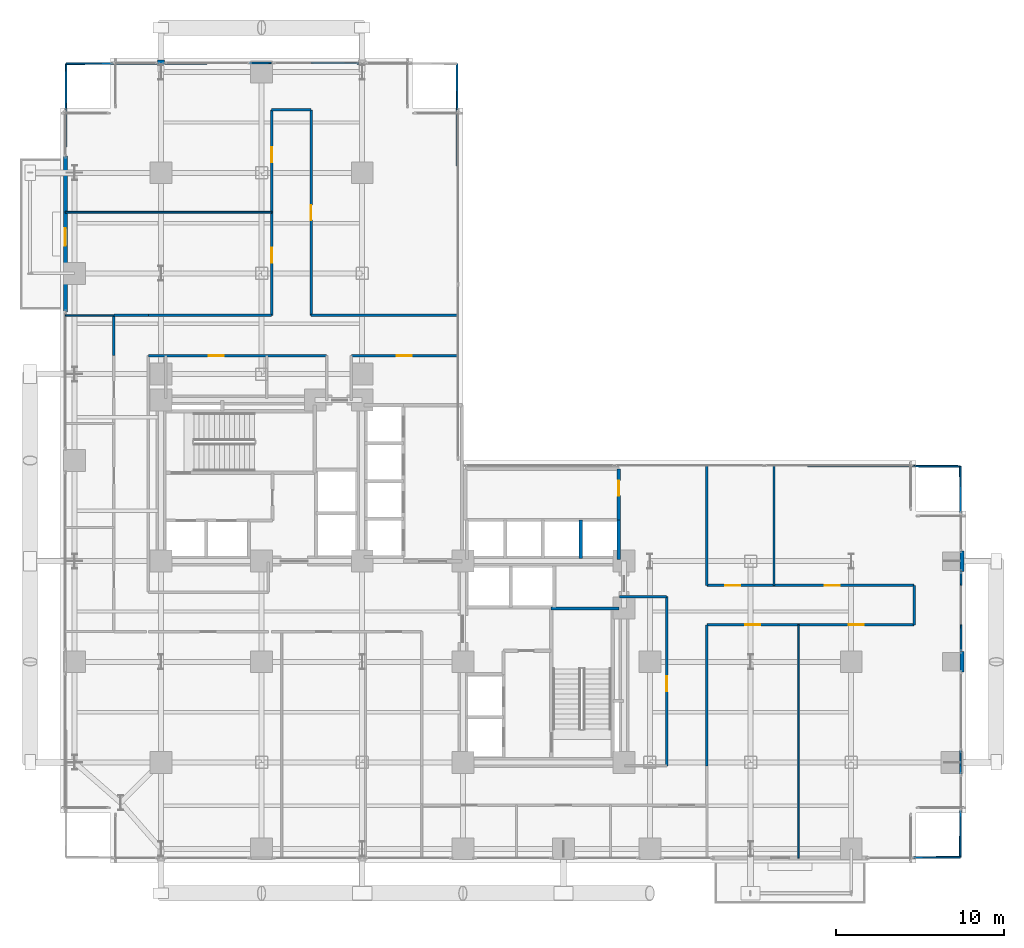
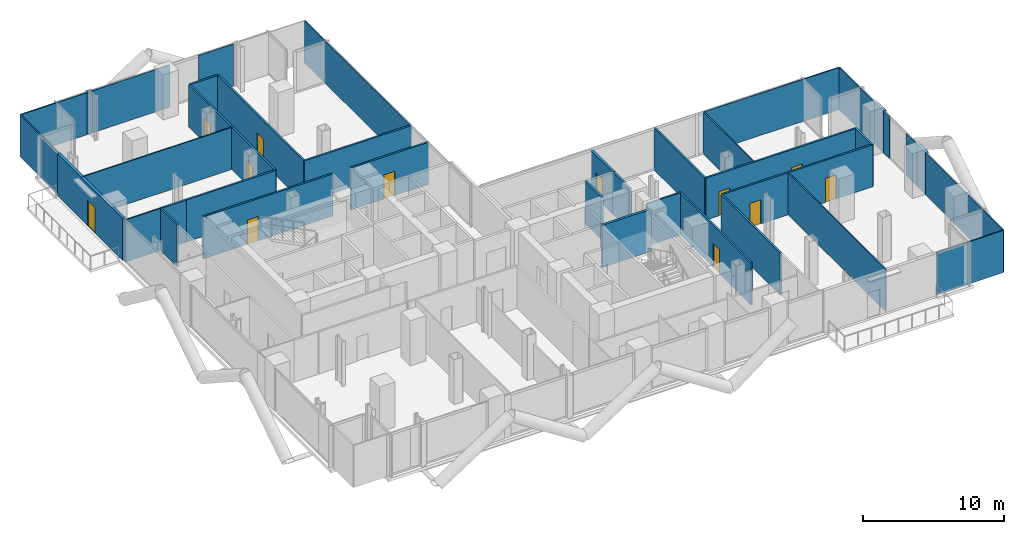
# One storey, part 23 of 27: 39 walls, 12 doors, 12 openings.
"""IFC4 building model written with IfcOpenShell, lengths in metres."""

from ifc_helpers import new_model, si_unit, direction, frame, frame_2d, origin, place, context, subcontext, project, spatial, rectangle, extrude, material, layer, layer_set, type_object, element, fill, save


model = new_model("IFC4")

# Units and contexts
model_context = context("Model", 3, precision=1e-05, world=origin(), true_north=direction((0.0, 1.0)))
body_context = subcontext(model_context, "Body", "Model", "MODEL_VIEW")
ifc_project = project(units=[si_unit("LENGTHUNIT", "METRE"), si_unit("AREAUNIT", "SQUARE_METRE"), si_unit("VOLUMEUNIT", "CUBIC_METRE"), si_unit("PLANEANGLEUNIT", "RADIAN"), si_unit("MASSUNIT", "GRAM", prefix="KILO"), si_unit("THERMODYNAMICTEMPERATUREUNIT", "KELVIN"), si_unit("POWERUNIT", "WATT")], contexts=[model_context])

# Site, building, storey
site_placement = place(None, origin())
site = spatial("IfcSite", under=ifc_project, at=site_placement, CompositionType="ELEMENT")
building_placement = place(site_placement, origin())
building = spatial("IfcBuilding", under=site, at=building_placement, Name="Svarakhadi Broadcast Tower", CompositionType="ELEMENT")
storey_placement = place(building_placement, frame((0.0, 0.0, 40.199951171875)))
storey = spatial("IfcBuildingStorey", under=building, at=storey_placement, Name="L08", CompositionType="ELEMENT", Elevation=40.199951171875)

# Wall, opening, door
ifc_material_1 = material(Name="Concrete C40/50 (IS 456 M50)", Category="concrete")
ifc_layer_1 = layer(ifc_material_1, 0.239990234375)
ifc_layer_set_1 = layer_set([ifc_layer_1], Name="Concrete C40/50 (IS 456 M50)")
wall_type_1 = type_object("IfcWallType", Name="Wall_Ext_240", PredefinedType="SOLIDWALL", material=ifc_layer_set_1)
wall_1_placement = place(storey_placement, frame((0.300048828125, 32.85498046875, 0.0), z_axis=(0.0, 0.0, 1.0), x_axis=(0.0, 1.0, 0.0)))
wall_1 = element("IfcWall", 1, at=wall_1_placement, inside=storey, type_object=wall_type_1, Name="L08 West Tree Balcony Spandrel Wall", PredefinedType="SOLIDWALL", context=body_context, shape_type="SweptSolid", body=[
    extrude(rectangle(XDim=9.2900390625, YDim=0.239990234375, at=frame_2d((4.64501953125, 0.0))), origin(), (0.0, 0.0, 1.0), 3.650146484375),
])
opening_1_placement = place(wall_1_placement, frame((3.945068359375, 0.0, 0.0)))
opening_1 = element("IfcOpeningElement", 2, at=opening_1_placement, cuts=wall_1, Name="Opening ED-05", PredefinedType="OPENING", context=body_context, shape_type="SweptSolid", body=[
    extrude(rectangle(XDim=1.050048828125, YDim=2.199951171875, at=frame_2d((0.52490234375, 1.10009765625))), frame((0.0, 0.1298828125, 0.0), z_axis=(0.0, -1.0, 0.0), x_axis=(1.0, 0.0, 0.0)), (0.0, 0.0, 1.0), 0.260009765625),
])
ifc_material_2 = material(Name="Anodised Bronze Aluminium AA 6063-T6", Category="aluminium")
door_type_1 = type_object("IfcDoorType", Name="Door_Ext_ED05", OperationType="SINGLE_SWING_LEFT", PredefinedType="DOOR", material=ifc_material_2)
door_1_placement = place(opening_1_placement, origin())
door_1 = element("IfcDoor", 3, at=door_1_placement, inside=storey, type_object=door_type_1, Name="L08 West Tree Balcony Door", OperationType="SINGLE_SWING_LEFT", OverallHeight=2.199951171875, OverallWidth=1.050048828125, PredefinedType="DOOR", context=body_context, shape_type="SweptSolid", body=[
    extrude(rectangle(XDim=1.050048828125, YDim=2.199951171875, at=frame_2d((0.52490234375, 1.10009765625))), frame((0.0, 0.02490234375, 0.0), z_axis=(0.0, -1.0, 0.0), x_axis=(1.0, 0.0, 0.0)), (0.0, 0.0, 1.0), 0.050048828125),
])
fill(opening_1, door_1)

# Walls
wall_2_placement = place(storey_placement, frame((5.784912109375, 47.760009765625, 0.0), z_axis=(0.0, 0.0, 1.0), x_axis=(1.0, 0.0, 0.0)))
element("IfcWall", 4, at=wall_2_placement, inside=storey, type_object=wall_type_1, Name="L08 Perimeter Bronze Spandrel Closure Wall 01", PredefinedType="SOLIDWALL", context=body_context, shape_type="SweptSolid", body=[
    extrude(rectangle(XDim=0.43017578125, YDim=0.239990234375, at=frame_2d((0.215087890625, 0.0))), origin(), (0.0, 0.0, 1.0), 3.650146484375),
])
for number, where, z_axis, x_axis, name in (
    (5, (53.760009765625, 18.614990234375, 0.0), (0.0, 0.0, 1.0), (0.0, -1.0, 0.0), "L08 Perimeter Bronze Spandrel Closure Wall 03"),
    (6, (53.760009765625, 12.614990234375, 0.0), (0.0, 0.0, 1.0), (0.0, -1.0, 0.0), "L08 Perimeter Bronze Spandrel Closure Wall 04"),
):
    element("IfcWall", number, at=place(storey_placement, frame(where, z_axis=z_axis, x_axis=x_axis)), inside=storey, type_object=wall_type_1, Name=name, PredefinedType="SOLIDWALL", context=body_context, shape_type="SweptSolid", body=[
        extrude(rectangle(XDim=1.22998046875, YDim=0.239990234375, at=frame_2d((0.614990234375, 0.0))), origin(), (0.0, 0.0, 1.0), 3.650146484375),
    ])
ifc_material_3 = material(Name="Fire-Rated Moisture-Resistant Gypsum Board Partition", Category="gypsum")
ifc_layer_2 = layer(ifc_material_3, 0.10009765625)
ifc_layer_set_2 = layer_set([ifc_layer_2], Name="Fire-Rated Moisture-Resistant Gypsum Board Partition")
wall_type_2 = type_object("IfcWallType", Name="Wall_Part_100", PredefinedType="PARTITIONING", material=ifc_layer_set_2)
wall_3_placement = place(storey_placement, frame((44.0, 0.300048828125, 0.0), z_axis=(0.0, 0.0, 1.0), x_axis=(0.0, 1.0, 0.0)))
element("IfcWall", 7, at=wall_3_placement, inside=storey, type_object=wall_type_2, Name="L08 Waterfront International News Desk Wall", PredefinedType="PARTITIONING", context=body_context, shape_type="SweptSolid", body=[
    extrude(rectangle(XDim=13.89990234375, YDim=0.10009765625, at=frame_2d((6.949951171875, 0.0))), origin(), (0.0, 0.0, 1.0), 3.650146484375),
])
wall_4_placement = place(storey_placement, frame((48.14501953125, 0.321533203125, 0.0), z_axis=(0.0, 0.0, 1.0), x_axis=(0.999986537773, 0.005188860428, 0.0)))
element("IfcWall", 8, at=wall_4_placement, inside=storey, type_object=wall_type_2, Name="L08 Wire Service Server Room Wall", PredefinedType="PARTITIONING", context=body_context, shape_type="SweptSolid", body=[
    extrude(rectangle(XDim=5.5048828125, YDim=0.10009765625, at=frame_2d((2.75244140625, 0.0))), origin(), (0.0, 0.0, 1.0), 3.650146484375),
])
wall_5_placement = place(storey_placement, frame((53.64990234375, 0.35009765625, 0.0), z_axis=(0.0, 0.0, 1.0), x_axis=(0.003606251025, 0.999993497456, 0.0)))
element("IfcWall", 9, at=wall_5_placement, inside=storey, type_object=wall_type_2, Name="L08 Wire Service Server Room Wall", PredefinedType="PARTITIONING", context=body_context, shape_type="SweptSolid", body=[
    extrude(rectangle(XDim=11.034912109375, YDim=0.10009765625, at=frame_2d((5.517578125, 0.0))), origin(), (0.0, 0.0, 1.0), 3.650146484375),
])
wall_6_placement = place(storey_placement, frame((53.6943359375, 12.614990234375, 0.0), z_axis=(0.0, 0.0, 1.0), x_axis=(0.003542799701, 0.999993724265, 0.0)))
element("IfcWall", 10, at=wall_6_placement, inside=storey, type_object=wall_type_2, Name="L08 Wire Service Server Room Wall", PredefinedType="PARTITIONING", context=body_context, shape_type="SweptSolid", body=[
    extrude(rectangle(XDim=1.5849609375, YDim=0.10009765625, at=frame_2d((0.79248046875, 0.0))), origin(), (0.0, 0.0, 1.0), 3.650146484375),
])
wall_7_placement = place(storey_placement, frame((42.550048828125, 16.550048828125, 0.0), z_axis=(0.0, 0.0, 1.0), x_axis=(0.0, 1.0, 0.0)))
element("IfcWall", 11, at=wall_7_placement, inside=storey, type_object=wall_type_2, Name="L08 Broadcast Acoustic Booth Wall", PredefinedType="PARTITIONING", context=body_context, shape_type="SweptSolid", body=[
    extrude(rectangle(XDim=7.14990234375, YDim=0.10009765625, at=frame_2d((3.574951171875, 0.0))), origin(), (0.0, 0.0, 1.0), 3.650146484375),
])
wall_8_placement = place(storey_placement, frame((42.550048828125, 23.699951171875, 0.0), z_axis=(0.0, 0.0, 1.0), x_axis=(0.999989834782, -0.004508917104, 0.0)))
element("IfcWall", 12, at=wall_8_placement, inside=storey, type_object=wall_type_2, Name="L08 Broadcast Equipment Operations Room Wall", PredefinedType="PARTITIONING", context=body_context, shape_type="SweptSolid", body=[
    extrude(rectangle(XDim=11.099853515625, YDim=0.10009765625, at=frame_2d((5.5498046875, 0.0))), origin(), (0.0, 0.0, 1.0), 3.650146484375),
])
wall_9_placement = place(storey_placement, frame((53.699951171875, 16.550048828125, 0.0), z_axis=(0.0, 0.0, 1.0), x_axis=(-0.007017371073, 0.999975377948, 0.0)))
element("IfcWall", 13, at=wall_9_placement, inside=storey, type_object=wall_type_2, Name="L08 Broadcast Equipment Operations Room Wall", PredefinedType="PARTITIONING", context=body_context, shape_type="SweptSolid", body=[
    extrude(rectangle(XDim=0.8349609375, YDim=0.10009765625, at=frame_2d((0.41748046875, 0.0))), origin(), (0.0, 0.0, 1.0), 3.650146484375),
])
wall_10_placement = place(storey_placement, frame((53.685546875, 18.614990234375, 0.0), z_axis=(0.0, 0.0, 1.0), x_axis=(-0.007079296972, 0.999974941463, 0.0)))
element("IfcWall", 14, at=wall_10_placement, inside=storey, type_object=wall_type_2, Name="L08 Broadcast Equipment Operations Room Wall", PredefinedType="PARTITIONING", context=body_context, shape_type="SweptSolid", body=[
    extrude(rectangle(XDim=5.03515625, YDim=0.10009765625, at=frame_2d((2.517578125, 0.0))), origin(), (0.0, 0.0, 1.0), 3.650146484375),
])
wall_11_placement = place(storey_placement, frame((0.300048828125, 38.800048828125, 0.0), z_axis=(0.0, 0.0, 1.0), x_axis=(1.0, 0.0, 0.0)))
element("IfcWall", 15, at=wall_11_placement, inside=storey, type_object=wall_type_2, Name="L08 Investigative Journalism Office Wall", PredefinedType="PARTITIONING", context=body_context, shape_type="SweptSolid", body=[
    extrude(rectangle(XDim=12.300048828125, YDim=0.10009765625, at=frame_2d((6.14990234375, 0.0))), origin(), (0.0, 0.0, 1.0), 3.650146484375),
])
wall_12_placement = place(storey_placement, frame((0.35009765625, 47.64990234375, 0.0), z_axis=(0.0, 0.0, 1.0), x_axis=(0.999991644778, 0.004087832518, 0.0)))
element("IfcWall", 16, at=wall_12_placement, inside=storey, type_object=wall_type_2, Name="L08 Investigative Research Office Wall", PredefinedType="PARTITIONING", context=body_context, shape_type="SweptSolid", body=[
    extrude(rectangle(XDim=5.434814453125, YDim=0.10009765625, at=frame_2d((2.71728515625, 0.0))), origin(), (0.0, 0.0, 1.0), 3.650146484375),
])
wall_13_placement = place(storey_placement, frame((6.215087890625, 47.673828125, 0.0), z_axis=(0.0, 0.0, 1.0), x_axis=(0.999991630701, 0.004091274595, 0.0)))
element("IfcWall", 17, at=wall_13_placement, inside=storey, type_object=wall_type_2, Name="L08 Investigative Research Office Wall", PredefinedType="PARTITIONING", context=body_context, shape_type="SweptSolid", body=[
    extrude(rectangle(XDim=6.385009765625, YDim=0.10009765625, at=frame_2d((3.1923828125, 0.0))), origin(), (0.0, 0.0, 1.0), 3.650146484375),
])
wall_14_placement = place(storey_placement, frame((0.31884765625, 42.14501953125, 0.0), z_axis=(0.0, 0.0, 1.0), x_axis=(0.005676686961, 0.999983887483, 0.0)))
element("IfcWall", 18, at=wall_14_placement, inside=storey, type_object=wall_type_2, Name="L08 Investigative Research Office Wall", PredefinedType="PARTITIONING", context=body_context, shape_type="SweptSolid", body=[
    extrude(rectangle(XDim=5.5048828125, YDim=0.10009765625, at=frame_2d((2.75244140625, 0.0))), origin(), (0.0, 0.0, 1.0), 3.650146484375),
])
wall_15_placement = place(storey_placement, frame((14.949951171875, 47.699951171875, 0.0), z_axis=(0.0, 0.0, 1.0), x_axis=(0.999983354582, -0.005769797172, 0.0)))
element("IfcWall", 19, at=wall_15_placement, inside=storey, type_object=wall_type_2, Name="L08 Broadcast Assignment Hub Wall", PredefinedType="PARTITIONING", context=body_context, shape_type="SweptSolid", body=[
    extrude(rectangle(XDim=2.8349609375, YDim=0.10009765625, at=frame_2d((1.41748046875, 0.0))), origin(), (0.0, 0.0, 1.0), 3.650146484375),
])
wall_16_placement = place(storey_placement, frame((23.699951171875, 32.64990234375, 0.0), z_axis=(0.0, 0.0, 1.0), x_axis=(-0.003336569969, 0.999994433635, 0.0)))
element("IfcWall", 20, at=wall_16_placement, inside=storey, type_object=wall_type_2, Name="L08 Broadcast Assignment Hub Wall", PredefinedType="PARTITIONING", context=body_context, shape_type="SweptSolid", body=[
    extrude(rectangle(XDim=15.0, YDim=0.10009765625, at=frame_2d((7.5, 0.0))), origin(), (0.0, 0.0, 1.0), 3.650146484375),
])
wall_17_placement = place(storey_placement, frame((0.300048828125, 32.64990234375, 0.0), z_axis=(0.0, 0.0, 1.0), x_axis=(1.0, 0.0, 0.0)))
element("IfcWall", 21, at=wall_17_placement, inside=storey, type_object=wall_type_2, Name="L08 Producer Quiet Lounge Wall", PredefinedType="PARTITIONING", context=body_context, shape_type="SweptSolid", body=[
    extrude(rectangle(XDim=2.89990234375, YDim=0.10009765625, at=frame_2d((1.449951171875, 0.0))), origin(), (0.0, 0.0, 1.0), 3.650146484375),
])

# Wall, opening, door
ifc_material_4 = material(Name="Autoclaved Aerated Concrete Blockwork 150 mm", Category="masonry")
ifc_layer_3 = layer(ifc_material_4, 0.14990234375)
ifc_layer_set_3 = layer_set([ifc_layer_3], Name="Autoclaved Aerated Concrete Blockwork 150 mm")
wall_type_3 = type_object("IfcWallType", Name="Wall_Part_150", PredefinedType="PARTITIONING", material=ifc_layer_set_3)
wall_18_placement = place(storey_placement, frame((36.14990234375, 5.800048828125, 0.0), z_axis=(0.0, 0.0, 1.0), x_axis=(0.0, 1.0, 0.0)))
wall_18 = element("IfcWall", 22, at=wall_18_placement, inside=storey, type_object=wall_type_3, Name="L08 Broadcast Corridor Wall", PredefinedType="PARTITIONING", context=body_context, shape_type="SweptSolid", body=[
    extrude(rectangle(XDim=10.079833984375, YDim=0.14990234375, at=frame_2d((5.0400390625, 0.0))), origin(), (0.0, 0.0, 1.0), 3.650146484375),
])
opening_2_placement = place(wall_18_placement, frame((4.429931640625, 0.0, 0.0)))
opening_2 = element("IfcOpeningElement", 23, at=opening_2_placement, cuts=wall_18, Name="Opening D-14", PredefinedType="OPENING", context=body_context, shape_type="SweptSolid", body=[
    extrude(rectangle(XDim=0.89990234375, YDim=2.10009765625, at=frame_2d((0.449951171875, 1.050048828125))), frame((0.0, 0.0849609375, 0.0), z_axis=(0.0, -1.0, 0.0), x_axis=(1.0, 0.0, 0.0)), (0.0, 0.0, 1.0), 0.169921875),
])
ifc_material_5 = material(Name="Solid-Core Teak Veneer Acoustic Timber Leaf", Category="wood")
door_type_2 = type_object("IfcDoorType", Name="Door_Int_D14", OperationType="SINGLE_SWING_LEFT", PredefinedType="DOOR", material=ifc_material_5)
door_2_placement = place(opening_2_placement, origin())
door_2 = element("IfcDoor", 24, at=door_2_placement, inside=storey, type_object=door_type_2, Name="L08 Live Feed Monitoring Studio Door", OperationType="SINGLE_SWING_LEFT", OverallHeight=2.10009765625, OverallWidth=0.89990234375, PredefinedType="DOOR", context=body_context, shape_type="SweptSolid", body=[
    extrude(rectangle(XDim=0.89990234375, YDim=2.10009765625, at=frame_2d((0.449951171875, 1.050048828125))), frame((0.0, 0.02490234375, 0.0), z_axis=(0.0, -1.0, 0.0), x_axis=(1.0, 0.0, 0.0)), (0.0, 0.0, 1.0), 0.050048828125),
])
fill(opening_2, door_2)

# Walls
wall_19_placement = place(storey_placement, frame((36.14990234375, 15.8798828125, 0.0), z_axis=(0.0, 0.0, 1.0), x_axis=(-1.0, 0.0, 0.0)))
element("IfcWall", 25, at=wall_19_placement, inside=storey, type_object=wall_type_3, Name="L08 Broadcast Corridor Wall", PredefinedType="PARTITIONING", context=body_context, shape_type="SweptSolid", body=[
    extrude(rectangle(XDim=2.809814453125, YDim=0.14990234375, at=frame_2d((1.40478515625, 0.0))), origin(), (0.0, 0.0, 1.0), 3.650146484375),
])
wall_20_placement = place(storey_placement, frame((38.550048828125, 23.699951171875, 0.0), z_axis=(0.0, 0.0, 1.0), x_axis=(0.0, -1.0, 0.0)))
element("IfcWall", 26, at=wall_20_placement, inside=storey, type_object=wall_type_3, Name="L08 Broadcast Corridor Wall", PredefinedType="PARTITIONING", context=body_context, shape_type="SweptSolid", body=[
    extrude(rectangle(XDim=7.14990234375, YDim=0.14990234375, at=frame_2d((3.574951171875, 0.0))), origin(), (0.0, 0.0, 1.0), 3.650146484375),
])

# Wall, openings, doors
wall_21_placement = place(storey_placement, frame((38.550048828125, 16.550048828125, 0.0), z_axis=(0.0, 0.0, 1.0), x_axis=(1.0, 0.0, 0.0)))
wall_21 = element("IfcWall", 27, at=wall_21_placement, inside=storey, type_object=wall_type_3, Name="L08 Broadcast Corridor Wall", PredefinedType="PARTITIONING", context=body_context, shape_type="SweptSolid", body=[
    extrude(rectangle(XDim=12.349853515625, YDim=0.14990234375, at=frame_2d((6.1748046875, 0.0))), origin(), (0.0, 0.0, 1.0), 3.650146484375),
])
opening_3_placement = place(wall_21_placement, frame((1.080078125, 0.0, 0.0)))
opening_3 = element("IfcOpeningElement", 28, at=opening_3_placement, cuts=wall_21, Name="Opening D-15", PredefinedType="OPENING", context=body_context, shape_type="SweptSolid", body=[
    extrude(rectangle(XDim=0.89990234375, YDim=2.10009765625, at=frame_2d((0.449951171875, 1.050048828125))), frame((0.0, 0.0849609375, 0.0), z_axis=(0.0, -1.0, 0.0), x_axis=(1.0, 0.0, 0.0)), (0.0, 0.0, 1.0), 0.169921875),
])
opening_4_placement = place(wall_21_placement, frame((7.030029296875, 0.0, 0.0)))
opening_4 = element("IfcOpeningElement", 29, at=opening_4_placement, cuts=wall_21, Name="Opening D-14", PredefinedType="OPENING", context=body_context, shape_type="SweptSolid", body=[
    extrude(rectangle(XDim=0.89990234375, YDim=2.10009765625, at=frame_2d((0.449951171875, 1.050048828125))), frame((0.0, 0.0849609375, 0.0), z_axis=(0.0, -1.0, 0.0), x_axis=(1.0, 0.0, 0.0)), (0.0, 0.0, 1.0), 0.169921875),
])
door_3_placement = place(opening_4_placement, origin())
door_3 = element("IfcDoor", 30, at=door_3_placement, inside=storey, type_object=door_type_2, Name="L08 Broadcast Equipment Operations Room Door", OperationType="SINGLE_SWING_LEFT", OverallHeight=2.10009765625, OverallWidth=0.89990234375, PredefinedType="DOOR", context=body_context, shape_type="SweptSolid", body=[
    extrude(rectangle(XDim=0.89990234375, YDim=2.10009765625, at=frame_2d((0.449951171875, 1.050048828125))), frame((0.0, 0.02490234375, 0.0), z_axis=(0.0, -1.0, 0.0), x_axis=(1.0, 0.0, 0.0)), (0.0, 0.0, 1.0), 0.050048828125),
])
fill(opening_4, door_3)
door_type_3 = type_object("IfcDoorType", Name="Door_Int_D15", OperationType="SINGLE_SWING_RIGHT", PredefinedType="DOOR", material=ifc_material_5)
door_4_placement = place(opening_3_placement, origin())
door_4 = element("IfcDoor", 31, at=door_4_placement, inside=storey, type_object=door_type_3, Name="L08 Broadcast Acoustic Booth Door", OperationType="SINGLE_SWING_RIGHT", OverallHeight=2.10009765625, OverallWidth=0.89990234375, PredefinedType="DOOR", context=body_context, shape_type="SweptSolid", body=[
    extrude(rectangle(XDim=0.89990234375, YDim=2.10009765625, at=frame_2d((0.449951171875, 1.050048828125))), frame((0.0, 0.02490234375, 0.0), z_axis=(0.0, -1.0, 0.0), x_axis=(1.0, 0.0, 0.0)), (0.0, 0.0, 1.0), 0.050048828125),
])
fill(opening_3, door_4)

# Wall
wall_22_placement = place(storey_placement, frame((50.89990234375, 16.550048828125, 0.0), z_axis=(0.0, 0.0, 1.0), x_axis=(0.0, -1.0, 0.0)))
element("IfcWall", 32, at=wall_22_placement, inside=storey, type_object=wall_type_3, Name="L08 Broadcast Corridor Wall", PredefinedType="PARTITIONING", context=body_context, shape_type="SweptSolid", body=[
    extrude(rectangle(XDim=2.35009765625, YDim=0.14990234375, at=frame_2d((1.175048828125, 0.0))), origin(), (0.0, 0.0, 1.0), 3.650146484375),
])

# Wall, openings, doors
wall_23_placement = place(storey_placement, frame((50.89990234375, 14.199951171875, 0.0), z_axis=(0.0, 0.0, 1.0), x_axis=(-1.0, 0.0, 0.0)))
wall_23 = element("IfcWall", 33, at=wall_23_placement, inside=storey, type_object=wall_type_3, Name="L08 Broadcast Corridor Wall", PredefinedType="PARTITIONING", context=body_context, shape_type="SweptSolid", body=[
    extrude(rectangle(XDim=12.349853515625, YDim=0.14990234375, at=frame_2d((6.1748046875, 0.0))), origin(), (0.0, 0.0, 1.0), 3.650146484375),
])
opening_5_placement = place(wall_23_placement, frame((9.175048828125, 0.0, 0.0)))
opening_5 = element("IfcOpeningElement", 34, at=opening_5_placement, cuts=wall_23, Name="Opening D-15", PredefinedType="OPENING", context=body_context, shape_type="SweptSolid", body=[
    extrude(rectangle(XDim=0.89990234375, YDim=2.10009765625, at=frame_2d((0.449951171875, 1.050048828125))), frame((0.0, 0.0849609375, 0.0), z_axis=(0.0, -1.0, 0.0), x_axis=(1.0, 0.0, 0.0)), (0.0, 0.0, 1.0), 0.169921875),
])
opening_6_placement = place(wall_23_placement, frame((3.0, 0.0, 0.0)))
opening_6 = element("IfcOpeningElement", 35, at=opening_6_placement, cuts=wall_23, Name="Opening D-14", PredefinedType="OPENING", context=body_context, shape_type="SweptSolid", body=[
    extrude(rectangle(XDim=0.89990234375, YDim=2.10009765625, at=frame_2d((0.449951171875, 1.050048828125))), frame((0.0, 0.0849609375, 0.0), z_axis=(0.0, -1.0, 0.0), x_axis=(1.0, 0.0, 0.0)), (0.0, 0.0, 1.0), 0.169921875),
])
door_5_placement = place(opening_6_placement, origin())
door_5 = element("IfcDoor", 36, at=door_5_placement, inside=storey, type_object=door_type_2, Name="L08 Wire Service Server Room Door", OperationType="SINGLE_SWING_LEFT", OverallHeight=2.10009765625, OverallWidth=0.89990234375, PredefinedType="DOOR", context=body_context, shape_type="SweptSolid", body=[
    extrude(rectangle(XDim=0.89990234375, YDim=2.10009765625, at=frame_2d((0.449951171875, 1.050048828125))), frame((0.0, 0.02490234375, 0.0), z_axis=(0.0, -1.0, 0.0), x_axis=(1.0, 0.0, 0.0)), (0.0, 0.0, 1.0), 0.050048828125),
])
fill(opening_6, door_5)
door_6_placement = place(opening_5_placement, origin())
door_6 = element("IfcDoor", 37, at=door_6_placement, inside=storey, type_object=door_type_3, Name="L08 Waterfront International News Desk Door", OperationType="SINGLE_SWING_RIGHT", OverallHeight=2.10009765625, OverallWidth=0.89990234375, PredefinedType="DOOR", context=body_context, shape_type="SweptSolid", body=[
    extrude(rectangle(XDim=0.89990234375, YDim=2.10009765625, at=frame_2d((0.449951171875, 1.050048828125))), frame((0.0, 0.02490234375, 0.0), z_axis=(0.0, -1.0, 0.0), x_axis=(1.0, 0.0, 0.0)), (0.0, 0.0, 1.0), 0.050048828125),
])
fill(opening_5, door_6)

# Walls
wall_24_placement = place(storey_placement, frame((38.550048828125, 14.199951171875, 0.0), z_axis=(0.0, 0.0, 1.0), x_axis=(0.0, -1.0, 0.0)))
element("IfcWall", 38, at=wall_24_placement, inside=storey, type_object=wall_type_3, Name="L08 Broadcast Corridor Wall", PredefinedType="PARTITIONING", context=body_context, shape_type="SweptSolid", body=[
    extrude(rectangle(XDim=8.39990234375, YDim=0.14990234375, at=frame_2d((4.199951171875, 0.0))), origin(), (0.0, 0.0, 1.0), 3.650146484375),
])
wall_25_placement = place(storey_placement, frame((3.199951171875, 30.25, 0.0), z_axis=(0.0, 0.0, 1.0), x_axis=(0.0, 1.0, 0.0)))
element("IfcWall", 39, at=wall_25_placement, inside=storey, type_object=wall_type_3, Name="L08 Broadcast Corridor Wall", PredefinedType="PARTITIONING", context=body_context, shape_type="SweptSolid", body=[
    extrude(rectangle(XDim=2.39990234375, YDim=0.14990234375, at=frame_2d((1.199951171875, 0.0))), origin(), (0.0, 0.0, 1.0), 3.650146484375),
])
wall_26_placement = place(storey_placement, frame((3.199951171875, 32.64990234375, 0.0), z_axis=(0.0, 0.0, 1.0), x_axis=(1.0, 0.0, 0.0)))
element("IfcWall", 40, at=wall_26_placement, inside=storey, type_object=wall_type_3, Name="L08 Broadcast Corridor Wall", PredefinedType="PARTITIONING", context=body_context, shape_type="SweptSolid", body=[
    extrude(rectangle(XDim=2.050048828125, YDim=0.14990234375, at=frame_2d((1.02490234375, 0.0))), origin(), (0.0, 0.0, 1.0), 3.650146484375),
])
wall_27_placement = place(storey_placement, frame((5.25, 32.64990234375, 0.0), z_axis=(0.0, 0.0, 1.0), x_axis=(1.0, 0.0, 0.0)))
element("IfcWall", 41, at=wall_27_placement, inside=storey, type_object=wall_type_3, Name="L08 Broadcast Corridor Wall", PredefinedType="PARTITIONING", context=body_context, shape_type="SweptSolid", body=[
    extrude(rectangle(XDim=7.35009765625, YDim=0.14990234375, at=frame_2d((3.675048828125, 0.0))), origin(), (0.0, 0.0, 1.0), 3.650146484375),
])

# Wall, openings, doors
wall_28_placement = place(storey_placement, frame((12.60009765625, 32.64990234375, 0.0), z_axis=(0.0, 0.0, 1.0), x_axis=(0.0, 1.0, 0.0)))
wall_28 = element("IfcWall", 42, at=wall_28_placement, inside=storey, type_object=wall_type_3, Name="L08 Broadcast Corridor Wall", PredefinedType="PARTITIONING", context=body_context, shape_type="SweptSolid", body=[
    extrude(rectangle(XDim=12.25, YDim=0.14990234375, at=frame_2d((6.125, 0.0))), origin(), (0.0, 0.0, 1.0), 3.650146484375),
])
opening_7_placement = place(wall_28_placement, frame((3.1298828125, 0.0, 0.0)))
opening_7 = element("IfcOpeningElement", 43, at=opening_7_placement, cuts=wall_28, Name="Opening D-15", PredefinedType="OPENING", context=body_context, shape_type="SweptSolid", body=[
    extrude(rectangle(XDim=0.89990234375, YDim=2.10009765625, at=frame_2d((0.449951171875, 1.050048828125))), frame((0.0, 0.0849609375, 0.0), z_axis=(0.0, -1.0, 0.0), x_axis=(1.0, 0.0, 0.0)), (0.0, 0.0, 1.0), 0.169921875),
])
opening_8_placement = place(wall_28_placement, frame((9.1298828125, 0.0, 0.0)))
opening_8 = element("IfcOpeningElement", 44, at=opening_8_placement, cuts=wall_28, Name="Opening D-15", PredefinedType="OPENING", context=body_context, shape_type="SweptSolid", body=[
    extrude(rectangle(XDim=0.89990234375, YDim=2.10009765625, at=frame_2d((0.449951171875, 1.050048828125))), frame((0.0, 0.0849609375, 0.0), z_axis=(0.0, -1.0, 0.0), x_axis=(1.0, 0.0, 0.0)), (0.0, 0.0, 1.0), 0.169921875),
])
door_7_placement = place(opening_7_placement, origin())
door_7 = element("IfcDoor", 45, at=door_7_placement, inside=storey, type_object=door_type_3, Name="L08 Investigative Journalism Office Door", OperationType="SINGLE_SWING_RIGHT", OverallHeight=2.10009765625, OverallWidth=0.89990234375, PredefinedType="DOOR", context=body_context, shape_type="SweptSolid", body=[
    extrude(rectangle(XDim=0.89990234375, YDim=2.10009765625, at=frame_2d((0.449951171875, 1.050048828125))), frame((0.0, 0.02490234375, 0.0), z_axis=(0.0, -1.0, 0.0), x_axis=(1.0, 0.0, 0.0)), (0.0, 0.0, 1.0), 0.050048828125),
])
fill(opening_7, door_7)
door_8_placement = place(opening_8_placement, origin())
door_8 = element("IfcDoor", 46, at=door_8_placement, inside=storey, type_object=door_type_3, Name="L08 Investigative Research Office Door", OperationType="SINGLE_SWING_RIGHT", OverallHeight=2.10009765625, OverallWidth=0.89990234375, PredefinedType="DOOR", context=body_context, shape_type="SweptSolid", body=[
    extrude(rectangle(XDim=0.89990234375, YDim=2.10009765625, at=frame_2d((0.449951171875, 1.050048828125))), frame((0.0, 0.02490234375, 0.0), z_axis=(0.0, -1.0, 0.0), x_axis=(1.0, 0.0, 0.0)), (0.0, 0.0, 1.0), 0.050048828125),
])
fill(opening_8, door_8)

# Wall
wall_29_placement = place(storey_placement, frame((12.60009765625, 44.89990234375, 0.0), z_axis=(0.0, 0.0, 1.0), x_axis=(1.0, 0.0, 0.0)))
element("IfcWall", 47, at=wall_29_placement, inside=storey, type_object=wall_type_3, Name="L08 Broadcast Corridor Wall", PredefinedType="PARTITIONING", context=body_context, shape_type="SweptSolid", body=[
    extrude(rectangle(XDim=2.349853515625, YDim=0.14990234375, at=frame_2d((1.1748046875, 0.0))), origin(), (0.0, 0.0, 1.0), 3.650146484375),
])

# Wall, opening, door
wall_30_placement = place(storey_placement, frame((14.949951171875, 44.89990234375, 0.0), z_axis=(0.0, 0.0, 1.0), x_axis=(0.0, -1.0, 0.0)))
wall_30 = element("IfcWall", 48, at=wall_30_placement, inside=storey, type_object=wall_type_3, Name="L08 Broadcast Corridor Wall", PredefinedType="PARTITIONING", context=body_context, shape_type="SweptSolid", body=[
    extrude(rectangle(XDim=12.25, YDim=0.14990234375, at=frame_2d((6.125, 0.0))), origin(), (0.0, 0.0, 1.0), 3.650146484375),
])
opening_9_placement = place(wall_30_placement, frame((5.675048828125, 0.0, 0.0)))
opening_9 = element("IfcOpeningElement", 49, at=opening_9_placement, cuts=wall_30, Name="Opening D-14", PredefinedType="OPENING", context=body_context, shape_type="SweptSolid", body=[
    extrude(rectangle(XDim=0.89990234375, YDim=2.10009765625, at=frame_2d((0.449951171875, 1.050048828125))), frame((0.0, 0.0849609375, 0.0), z_axis=(0.0, -1.0, 0.0), x_axis=(1.0, 0.0, 0.0)), (0.0, 0.0, 1.0), 0.169921875),
])
door_9_placement = place(opening_9_placement, origin())
door_9 = element("IfcDoor", 50, at=door_9_placement, inside=storey, type_object=door_type_2, Name="L08 Broadcast Assignment Hub Door", OperationType="SINGLE_SWING_LEFT", OverallHeight=2.10009765625, OverallWidth=0.89990234375, PredefinedType="DOOR", context=body_context, shape_type="SweptSolid", body=[
    extrude(rectangle(XDim=0.89990234375, YDim=2.10009765625, at=frame_2d((0.449951171875, 1.050048828125))), frame((0.0, 0.02490234375, 0.0), z_axis=(0.0, -1.0, 0.0), x_axis=(1.0, 0.0, 0.0)), (0.0, 0.0, 1.0), 0.050048828125),
])
fill(opening_9, door_9)

# Wall
wall_31_placement = place(storey_placement, frame((14.949951171875, 32.64990234375, 0.0), z_axis=(0.0, 0.0, 1.0), x_axis=(1.0, 0.0, 0.0)))
element("IfcWall", 51, at=wall_31_placement, inside=storey, type_object=wall_type_3, Name="L08 Broadcast Corridor Wall", PredefinedType="PARTITIONING", context=body_context, shape_type="SweptSolid", body=[
    extrude(rectangle(XDim=8.75, YDim=0.14990234375, at=frame_2d((4.375, 0.0))), origin(), (0.0, 0.0, 1.0), 3.650146484375),
])

# Wall, opening, door
wall_32_placement = place(storey_placement, frame((23.699951171875, 30.25, 0.0), z_axis=(0.0, 0.0, 1.0), x_axis=(-1.0, 0.0, 0.0)))
wall_32 = element("IfcWall", 52, at=wall_32_placement, inside=storey, type_object=wall_type_3, Name="L08 Broadcast Corridor Wall", PredefinedType="PARTITIONING", context=body_context, shape_type="SweptSolid", body=[
    extrude(rectangle(XDim=6.349853515625, YDim=0.14990234375, at=frame_2d((3.1748046875, 0.0))), origin(), (0.0, 0.0, 1.0), 3.650146484375),
])
opening_10_placement = place(wall_32_placement, frame((2.75, 0.0, 0.0)))
opening_10 = element("IfcOpeningElement", 53, at=opening_10_placement, cuts=wall_32, Name="Opening D-15", PredefinedType="OPENING", context=body_context, shape_type="SweptSolid", body=[
    extrude(rectangle(XDim=0.89990234375, YDim=2.10009765625, at=frame_2d((0.449951171875, 1.050048828125))), frame((0.0, 0.0849609375, 0.0), z_axis=(0.0, -1.0, 0.0), x_axis=(1.0, 0.0, 0.0)), (0.0, 0.0, 1.0), 0.169921875),
])
door_10_placement = place(opening_10_placement, origin())
door_10 = element("IfcDoor", 54, at=door_10_placement, inside=storey, type_object=door_type_3, Name="L08 Production Continuity Office Door", OperationType="SINGLE_SWING_RIGHT", OverallHeight=2.10009765625, OverallWidth=0.89990234375, PredefinedType="DOOR", context=body_context, shape_type="SweptSolid", body=[
    extrude(rectangle(XDim=0.89990234375, YDim=2.10009765625, at=frame_2d((0.449951171875, 1.050048828125))), frame((0.0, 0.02490234375, 0.0), z_axis=(0.0, -1.0, 0.0), x_axis=(1.0, 0.0, 0.0)), (0.0, 0.0, 1.0), 0.050048828125),
])
fill(opening_10, door_10)

wall_33_placement = place(storey_placement, frame((15.8798828125, 30.25, 0.0), z_axis=(0.0, 0.0, 1.0), x_axis=(-1.0, 0.0, 0.0)))
wall_33 = element("IfcWall", 55, at=wall_33_placement, inside=storey, type_object=wall_type_3, Name="L08 Broadcast Corridor Wall", PredefinedType="PARTITIONING", context=body_context, shape_type="SweptSolid", body=[
    extrude(rectangle(XDim=10.6298828125, YDim=0.14990234375, at=frame_2d((5.31494140625, 0.0))), origin(), (0.0, 0.0, 1.0), 3.650146484375),
])
opening_11_placement = place(wall_33_placement, frame((6.1298828125, 0.0, 0.0)))
opening_11 = element("IfcOpeningElement", 56, at=opening_11_placement, cuts=wall_33, Name="Opening D-12", PredefinedType="OPENING", context=body_context, shape_type="SweptSolid", body=[
    extrude(rectangle(XDim=0.89990234375, YDim=2.10009765625, at=frame_2d((0.449951171875, 1.050048828125))), frame((0.0, 0.0849609375, 0.0), z_axis=(0.0, -1.0, 0.0), x_axis=(1.0, 0.0, 0.0)), (0.0, 0.0, 1.0), 0.169921875),
])
door_type_4 = type_object("IfcDoorType", Name="Door_WC_D01", OperationType="SINGLE_SWING_LEFT", PredefinedType="DOOR", material=ifc_material_5)
door_11_placement = place(opening_11_placement, origin())
door_11 = element("IfcDoor", 57, at=door_11_placement, inside=storey, type_object=door_type_4, Name="L08 Accessible Toilet WC Door", OperationType="SINGLE_SWING_LEFT", OverallHeight=2.10009765625, OverallWidth=0.89990234375, PredefinedType="DOOR", context=body_context, shape_type="SweptSolid", body=[
    extrude(rectangle(XDim=0.89990234375, YDim=2.10009765625, at=frame_2d((0.449951171875, 1.050048828125))), frame((0.0, 0.02490234375, 0.0), z_axis=(0.0, -1.0, 0.0), x_axis=(1.0, 0.0, 0.0)), (0.0, 0.0, 1.0), 0.050048828125),
])
fill(opening_11, door_11)

# Walls
ifc_material_6 = material(Name="Concrete C50/60 (IS 456 M60)", Category="concrete")
ifc_layer_4 = layer(ifc_material_6, 0.199951171875)
ifc_layer_set_4 = layer_set([ifc_layer_4], Name="Concrete C50/60 (IS 456 M60)")
wall_type_4 = type_object("IfcWallType", Name="Wall_Shear_200", PredefinedType="SHEAR", material=ifc_layer_set_4)
wall_34_placement = place(storey_placement, frame((29.260009765625, 15.179931640625, 0.0), z_axis=(0.0, 0.0, 1.0), x_axis=(1.0, 0.0, 0.0)))
element("IfcWall", 58, at=wall_34_placement, inside=storey, type_object=wall_type_4, Name="L08 Stair ST-02 North RC Shaft Wall", PredefinedType="SHEAR", context=body_context, shape_type="SweptSolid", body=[
    extrude(rectangle(XDim=4.0400390625, YDim=0.199951171875, at=frame_2d((2.02001953125, 0.0))), origin(), (0.0, 0.0, 1.0), 3.650146484375),
])
wall_35_placement = place(storey_placement, frame((33.300048828125, 18.10009765625, 0.0), z_axis=(0.0, 0.0, 1.0), x_axis=(0.0, 1.0, 0.0)))
element("IfcWall", 59, at=wall_35_placement, inside=storey, type_object=wall_type_4, Name="L08 Bank B East Shaft Wall", PredefinedType="SHEAR", context=body_context, shape_type="SweptSolid", body=[
    extrude(rectangle(XDim=2.349853515625, YDim=0.199951171875, at=frame_2d((1.1748046875, 0.0))), origin(), (0.0, 0.0, 1.0), 3.650146484375),
])
wall_36_placement = place(storey_placement, frame((31.02001953125, 18.14990234375, 0.0), z_axis=(0.0, 0.0, 1.0), x_axis=(0.0, 1.0, 0.0)))
element("IfcWall", 60, at=wall_36_placement, inside=storey, type_object=wall_type_4, Name="L08 Bank B Divider", PredefinedType="SHEAR", context=body_context, shape_type="SweptSolid", body=[
    extrude(rectangle(XDim=2.300048828125, YDim=0.199951171875, at=frame_2d((1.14990234375, 0.0))), origin(), (0.0, 0.0, 1.0), 3.650146484375),
])

# Wall, opening, door
wall_37_placement = place(storey_placement, frame((33.300048828125, 20.449951171875, 0.0), z_axis=(0.0, 0.0, 1.0), x_axis=(0.0, 1.0, 0.0)))
wall_37 = element("IfcWall", 61, at=wall_37_placement, inside=storey, type_object=wall_type_4, Name="L08 Bank B Lift Hall East Wall", PredefinedType="SHEAR", context=body_context, shape_type="SweptSolid", body=[
    extrude(rectangle(XDim=3.050048828125, YDim=0.199951171875, at=frame_2d((1.52490234375, 0.0))), origin(), (0.0, 0.0, 1.0), 3.650146484375),
])
opening_12_placement = place(wall_37_placement, frame((1.449951171875, 0.0, 0.0)))
opening_12 = element("IfcOpeningElement", 62, at=opening_12_placement, cuts=wall_37, Name="Opening D-04", PredefinedType="OPENING", context=body_context, shape_type="SweptSolid", body=[
    extrude(rectangle(XDim=0.89990234375, YDim=2.14990234375, at=frame_2d((0.449951171875, 1.074951171875))), frame((0.0, 0.10986328125, 0.0), z_axis=(0.0, -1.0, 0.0), x_axis=(1.0, 0.0, 0.0)), (0.0, 0.0, 1.0), 0.219970703125),
])
ifc_material_7 = material(Name="Galvanised Powder-Coated Fire-Rated Steel Leaf", Category="steel")
door_type_5 = type_object("IfcDoorType", Name="Door_Fire_D04", OperationType="SINGLE_SWING_RIGHT", PredefinedType="DOOR", material=ifc_material_7)
door_12_placement = place(opening_12_placement, origin())
door_12 = element("IfcDoor", 63, at=door_12_placement, inside=storey, type_object=door_type_5, Name="L08 Mid-Rise Lift Hall East Corridor Door", OperationType="SINGLE_SWING_RIGHT", OverallHeight=2.14990234375, OverallWidth=0.89990234375, PredefinedType="DOOR", context=body_context, shape_type="SweptSolid", body=[
    extrude(rectangle(XDim=0.89990234375, YDim=2.14990234375, at=frame_2d((0.449951171875, 1.074951171875))), frame((0.0, 0.02490234375, 0.0), z_axis=(0.0, -1.0, 0.0), x_axis=(1.0, 0.0, 0.0)), (0.0, 0.0, 1.0), 0.050048828125),
])
fill(opening_12, door_12)

save(model, "model.ifc")
